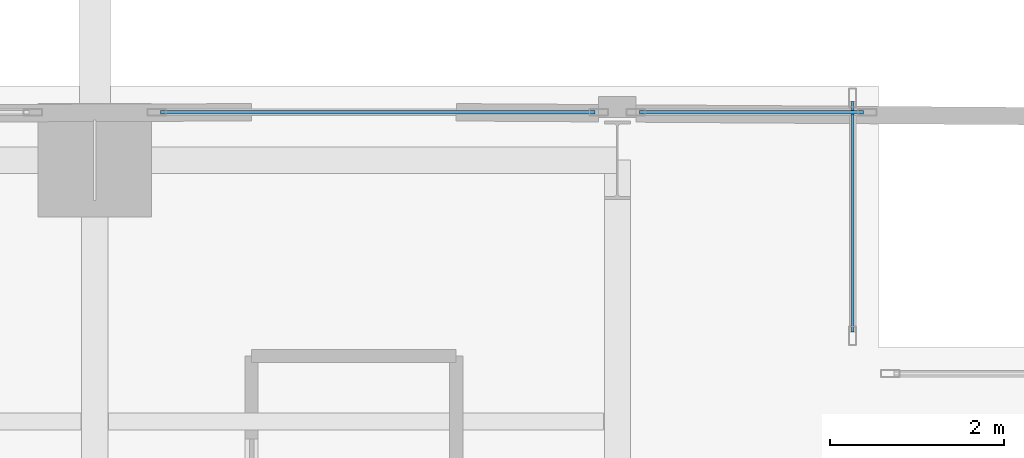
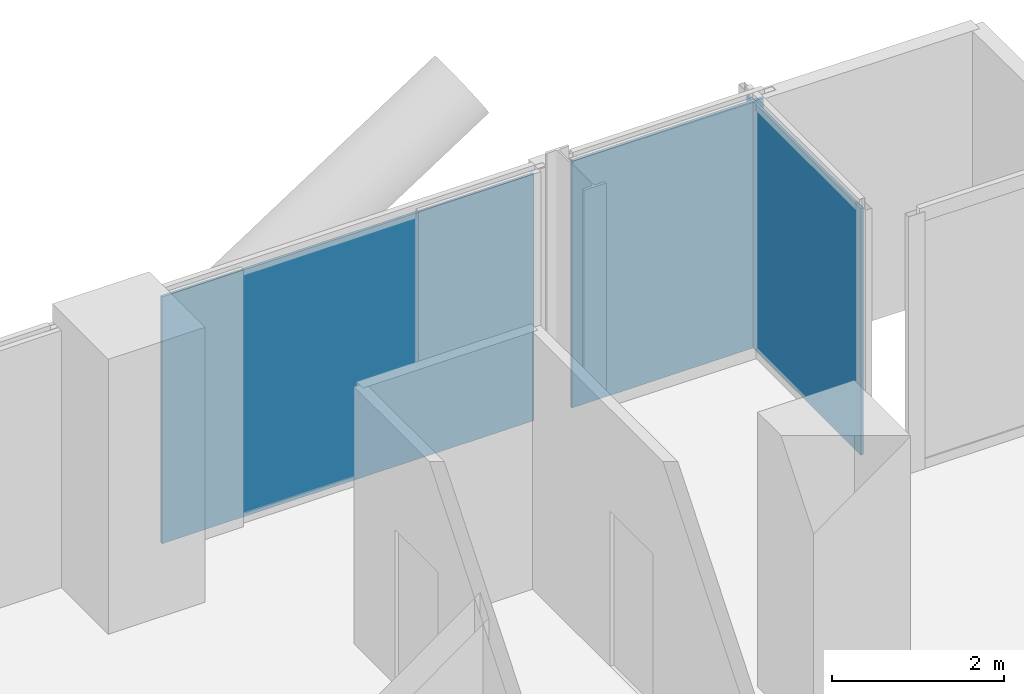
# One storey, part 18 of 25: 3 plates, 3 elements without a shape of their own.
"""IFC4 building model written with IfcOpenShell, lengths in metres."""

from ifc_helpers import new_model, si_unit, direction, frame, origin, origin_2d, place, context, subcontext, project, spatial, rectangle, extrude, material, layer, layer_set, type_object, element, aggregate, save


model = new_model("IFC4")

# Units and contexts
model_context = context("Model", 3, precision=1e-05, world=origin(), true_north=direction((0.0, 1.0)))
body_context = subcontext(model_context, "Body", "Model", "MODEL_VIEW")
ifc_project = project(units=[si_unit("LENGTHUNIT", "METRE"), si_unit("AREAUNIT", "SQUARE_METRE"), si_unit("VOLUMEUNIT", "CUBIC_METRE"), si_unit("PLANEANGLEUNIT", "RADIAN"), si_unit("MASSUNIT", "GRAM", prefix="KILO"), si_unit("THERMODYNAMICTEMPERATUREUNIT", "KELVIN"), si_unit("POWERUNIT", "WATT")], contexts=[model_context])

# Site, building, storey
site_placement = place(None, origin())
site = spatial("IfcSite", under=ifc_project, at=site_placement, CompositionType="ELEMENT")
building_placement = place(site_placement, origin())
building = spatial("IfcBuilding", under=site, at=building_placement, Name="Svarakhadi Broadcast Tower", CompositionType="ELEMENT")
storey_placement = place(building_placement, frame((0.0, 0.0, 67.5)))
storey = spatial("IfcBuildingStorey", under=building, at=storey_placement, Name="L15", CompositionType="ELEMENT", Elevation=67.5)

# Curtain wall, plate
ifc_material_1 = material(Name="Anodised Bronze Aluminium AA 6063-T6", Category="aluminium")
ifc_layer_1 = layer(ifc_material_1, 0.219970703125)
ifc_layer_set_1 = layer_set([ifc_layer_1], Name="Anodised Bronze Aluminium AA 6063-T6")
curtain_wall_type = type_object("IfcCurtainWallType", Name="CW_Sys_02", PredefinedType="NOTDEFINED", material=ifc_layer_set_1)
curtain_wall_1_placement = place(storey_placement, origin())
curtain_wall_1 = element("IfcCurtainWall", 1, at=curtain_wall_1_placement, inside=storey, type_object=curtain_wall_type, Name="L15 Unitised Facade Curtain Wall 06 Bay 3", PredefinedType="NOTDEFINED")
ifc_material_2 = material(Name="Double Low-E Laminated Acoustic Glass IGU 36 mm", Category="glass")
ifc_layer_2 = layer(ifc_material_2, 0.035888671875)
ifc_layer_set_2 = layer_set([ifc_layer_2], Name="Double Low-E Laminated Acoustic Glass IGU 36 mm")
plate_type = type_object("IfcPlateType", Name="CW_Sys_02_Pnl", PredefinedType="CURTAIN_PANEL", material=ifc_layer_set_2)
plate_1_placement = place(storey_placement, frame((15.25, 47.699951171875, 0.074951171875), z_axis=(0.0, 0.0, 1.0), x_axis=(1.0, 0.0, 0.0)))
plate_1 = element("IfcPlate", 2, at=plate_1_placement, type_object=plate_type, Name="CW-02 panel 1.1", PredefinedType="CURTAIN_PANEL", context=body_context, shape_type="SweptSolid", body=[
    extrude(rectangle(XDim=4.989990234375, YDim=0.035888671875, at=origin_2d()), origin(), (0.0, 0.0, 1.0), 3.5),
])
aggregate(curtain_wall_1, [plate_1])

curtain_wall_2_placement = place(storey_placement, origin())
curtain_wall_2 = element("IfcCurtainWall", 3, at=curtain_wall_2_placement, inside=storey, type_object=curtain_wall_type, Name="L15 Unitised Facade Curtain Wall 06 Bay 4", PredefinedType="NOTDEFINED")
plate_2_placement = place(storey_placement, frame((19.5400390625, 47.699951171875, 0.074951171875), z_axis=(0.0, 0.0, 1.0), x_axis=(1.0, 0.0, 0.0)))
plate_2 = element("IfcPlate", 4, at=plate_2_placement, type_object=plate_type, Name="CW-02 panel 1.1", PredefinedType="CURTAIN_PANEL", context=body_context, shape_type="SweptSolid", body=[
    extrude(rectangle(XDim=2.570068359375, YDim=0.035888671875, at=origin_2d()), origin(), (0.0, 0.0, 1.0), 3.5),
])
aggregate(curtain_wall_2, [plate_2])

curtain_wall_3_placement = place(storey_placement, origin())
curtain_wall_3 = element("IfcCurtainWall", 5, at=curtain_wall_3_placement, inside=storey, type_object=curtain_wall_type, Name="L15 Unitised Facade Curtain Wall 07", PredefinedType="NOTDEFINED")
plate_3_placement = place(storey_placement, frame((20.699951171875, 46.5, 0.074951171875), z_axis=(0.0, 0.0, 1.0), x_axis=(0.0, -1.0, 0.0)))
plate_3 = element("IfcPlate", 6, at=plate_3_placement, type_object=plate_type, Name="CW-02 panel 1.1", PredefinedType="CURTAIN_PANEL", context=body_context, shape_type="SweptSolid", body=[
    extrude(rectangle(XDim=2.64990234375, YDim=0.035888671875, at=origin_2d()), origin(), (0.0, 0.0, 1.0), 3.5),
])
aggregate(curtain_wall_3, [plate_3])

save(model, "model.ifc")
